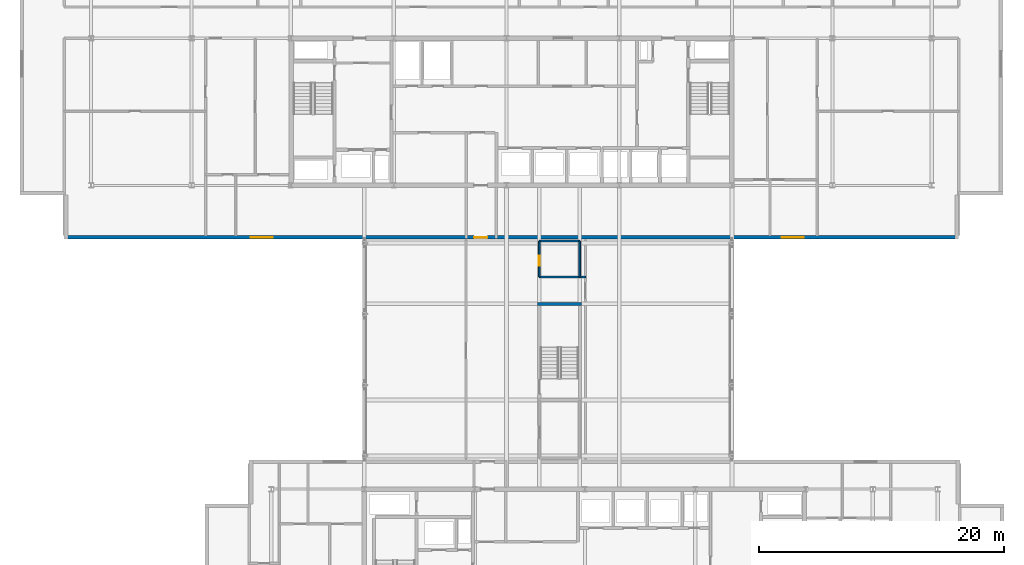
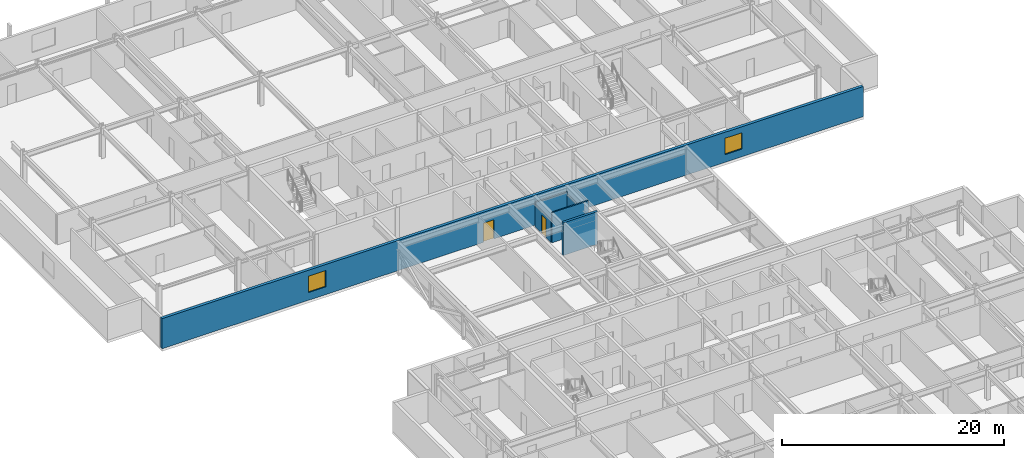
# One storey, part 22 of 36: 6 walls, 2 doors, 2 windows, 4 openings.
"""IFC4 building model written with IfcOpenShell, lengths in metres."""

from ifc_helpers import new_model, si_unit, direction, frame, frame_2d, origin, place, context, subcontext, project, spatial, rectangle, extrude, material, layer, layer_set, type_object, element, fill, save


model = new_model("IFC4")

# Units and contexts
model_context = context("Model", 3, precision=1e-05, world=origin(), true_north=direction((0.0, 1.0)))
body_context = subcontext(model_context, "Body", "Model", "MODEL_VIEW")
ifc_project = project(units=[si_unit("LENGTHUNIT", "METRE"), si_unit("AREAUNIT", "SQUARE_METRE"), si_unit("VOLUMEUNIT", "CUBIC_METRE"), si_unit("PLANEANGLEUNIT", "RADIAN"), si_unit("MASSUNIT", "GRAM", prefix="KILO")], contexts=[model_context])

# Site, building, storey
site_placement = place(None, origin())
site = spatial("IfcSite", under=ifc_project, at=site_placement, CompositionType="ELEMENT")
building_placement = place(site_placement, origin())
building = spatial("IfcBuilding", under=site, at=building_placement, Name="Korimba Cascade Residences", CompositionType="ELEMENT")
storey_placement = place(building_placement, frame((0.0, 0.0, 146.5)))
storey = spatial("IfcBuildingStorey", under=building, at=storey_placement, Name="L42", CompositionType="ELEMENT", Elevation=146.5)

# Wall, openings, door, windows
ifc_material_1 = material(Name="Precast concrete C40/50", Category="concrete")
ifc_layer_1 = layer(ifc_material_1, 0.300048828125)
ifc_layer_set_1 = layer_set([ifc_layer_1], Name="Precast concrete C40/50")
wall_type_1 = type_object("IfcWallType", Name="EW-STONE-300", PredefinedType="STANDARD", material=ifc_layer_set_1)
wall_1_placement = place(storey_placement, frame((57.60009765625, 50.949951171875, 0.0), z_axis=(0.0, 0.0, 1.0), x_axis=(1.0, 0.0, 0.0)))
wall_1 = element("IfcWall", 1, at=wall_1_placement, inside=storey, type_object=wall_type_1, Name="L42 T1 Perimeter Stone Wall E00", PredefinedType="STANDARD", context=body_context, shape_type="SweptSolid", body=[
    extrude(rectangle(XDim=73.0, YDim=0.300048828125, at=frame_2d((36.5, 0.0))), origin(), (0.0, 0.0, 1.0), 3.31005859375),
])
opening_1_placement = place(wall_1_placement, frame((15.22509765625, 0.0, 0.85009765625)))
opening_1 = element("IfcOpeningElement", 2, at=opening_1_placement, cuts=wall_1, Name="Opening W-02", PredefinedType="OPENING", context=body_context, shape_type="SweptSolid", body=[
    extrude(rectangle(XDim=1.800048828125, YDim=1.800048828125, at=frame_2d((0.89990234375, 0.89990234375))), frame((0.0, 0.16015625, 0.0), z_axis=(0.0, -1.0, 0.0), x_axis=(1.0, 0.0, 0.0)), (0.0, 0.0, 1.0), 0.320068359375),
])
opening_2_placement = place(wall_1_placement, frame((58.574951171875, 0.0, 0.85009765625)))
opening_2 = element("IfcOpeningElement", 3, at=opening_2_placement, cuts=wall_1, Name="Opening W-02", PredefinedType="OPENING", context=body_context, shape_type="SweptSolid", body=[
    extrude(rectangle(XDim=1.800048828125, YDim=1.800048828125, at=frame_2d((0.89990234375, 0.89990234375))), frame((0.0, 0.16015625, 0.0), z_axis=(0.0, -1.0, 0.0), x_axis=(1.0, 0.0, 0.0)), (0.0, 0.0, 1.0), 0.320068359375),
])
opening_3_placement = place(wall_1_placement, frame((33.449951171875, 0.0, 0.0)))
opening_3 = element("IfcOpeningElement", 4, at=opening_3_placement, cuts=wall_1, Name="Opening D-BF1", PredefinedType="OPENING", context=body_context, shape_type="SweptSolid", body=[
    extrude(rectangle(XDim=1.10009765625, YDim=2.10009765625, at=frame_2d((0.550048828125, 1.050048828125))), frame((0.0, 0.16015625, 0.0), z_axis=(0.0, -1.0, 0.0), x_axis=(1.0, 0.0, 0.0)), (0.0, 0.0, 1.0), 0.320068359375),
])
ifc_material_2 = material(Name="Fire-Rated Steel Skybridge Link Door", Category="steel")
door_type_1 = type_object("IfcDoorType", Name="DR-BRG-FD120", OperationType="NOTDEFINED", PredefinedType="DOOR", material=ifc_material_2)
door_1_placement = place(opening_3_placement, origin())
door_1 = element("IfcDoor", 5, at=door_1_placement, inside=storey, type_object=door_type_1, Name="L42 Skybridge to Tower 1 Fire Door", OperationType="SINGLE_SWING_LEFT", OverallHeight=2.10009765625, OverallWidth=1.10009765625, PredefinedType="DOOR", context=body_context, shape_type="SweptSolid", body=[
    extrude(rectangle(XDim=1.10009765625, YDim=2.10009765625, at=frame_2d((0.550048828125, 1.050048828125))), frame((0.0, 0.02490234375, 0.0), z_axis=(0.0, -1.0, 0.0), x_axis=(1.0, 0.0, 0.0)), (0.0, 0.0, 1.0), 0.050048828125),
])
fill(opening_3, door_1)
ifc_material_3 = material(Name="Double-Glazed Aluminium Window", Category="aluminium")
window_type = type_object("IfcWindowType", Name="WIN-BED-1800", PartitioningType="SINGLE_PANEL", PredefinedType="WINDOW", material=ifc_material_3)
window_1_placement = place(opening_1_placement, origin())
window_1 = element("IfcWindow", 6, at=window_1_placement, inside=storey, type_object=window_type, Name="L42 T1 South Corner Bedroom Window 1", OverallHeight=1.800048828125, OverallWidth=1.800048828125, PartitioningType="SINGLE_PANEL", PredefinedType="WINDOW", context=body_context, shape_type="SweptSolid", body=[
    extrude(rectangle(XDim=1.800048828125, YDim=1.800048828125, at=frame_2d((0.89990234375, 0.89990234375))), frame((0.0, 0.030029296875, 0.0), z_axis=(0.0, -1.0, 0.0), x_axis=(1.0, 0.0, 0.0)), (0.0, 0.0, 1.0), 0.06005859375),
])
fill(opening_1, window_1)
window_2_placement = place(opening_2_placement, origin())
window_2 = element("IfcWindow", 7, at=window_2_placement, inside=storey, type_object=window_type, Name="L42 T1 South Corner Bedroom Window 2", OverallHeight=1.800048828125, OverallWidth=1.800048828125, PartitioningType="SINGLE_PANEL", PredefinedType="WINDOW", context=body_context, shape_type="SweptSolid", body=[
    extrude(rectangle(XDim=1.800048828125, YDim=1.800048828125, at=frame_2d((0.89990234375, 0.89990234375))), frame((0.0, 0.030029296875, 0.0), z_axis=(0.0, -1.0, 0.0), x_axis=(1.0, 0.0, 0.0)), (0.0, 0.0, 1.0), 0.06005859375),
])
fill(opening_2, window_2)

# Wall
ifc_material_4 = material(Name="Insulated Acoustic Stud Partition", Category="gypsum")
ifc_layer_2 = layer(ifc_material_4, 0.14990234375)
ifc_layer_set_2 = layer_set([ifc_layer_2], Name="Insulated Acoustic Stud Partition")
wall_type_2 = type_object("IfcWallType", Name="WAL-PART-150", PredefinedType="PARTITIONING", material=ifc_layer_set_2)
wall_2_placement = place(storey_placement, frame((96.375, 50.64990234375, 0.0), z_axis=(0.0, 0.0, 1.0), x_axis=(1.0, 0.0, 0.0)))
element("IfcWall", 8, at=wall_2_placement, inside=storey, type_object=wall_type_2, Name="L42 Partition Wall WAL-L42-BRG-WCN2", PredefinedType="PARTITIONING", context=body_context, shape_type="SweptSolid", body=[
    extrude(rectangle(XDim=3.31005859375, YDim=0.14990234375, at=frame_2d((1.655029296875, 0.0))), origin(), (0.0, 0.0, 1.0), 2.689697265625),
])

# Wall, opening, door
wall_3_placement = place(storey_placement, frame((96.375, 47.719970703125, 0.0), z_axis=(0.0, 0.0, 1.0), x_axis=(0.0, 1.0, 0.0)))
wall_3 = element("IfcWall", 9, at=wall_3_placement, inside=storey, type_object=wall_type_2, Name="L42 Partition Wall WAL-L42-BRG-WCW2", PredefinedType="PARTITIONING", context=body_context, shape_type="SweptSolid", body=[
    extrude(rectangle(XDim=2.929931640625, YDim=0.14990234375, at=frame_2d((1.46484375, 0.0))), origin(), (0.0, 0.0, 1.0), 2.38330078125),
])
opening_4_placement = place(wall_3_placement, frame((0.89990234375, 0.0, 0.0)))
opening_4 = element("IfcOpeningElement", 10, at=opening_4_placement, cuts=wall_3, Name="Opening D-BT1", PredefinedType="OPENING", context=body_context, shape_type="SweptSolid", body=[
    extrude(rectangle(XDim=0.840087890625, YDim=2.0400390625, at=frame_2d((0.419921875, 1.02001953125))), frame((0.0, 0.0849609375, 0.0), z_axis=(0.0, -1.0, 0.0), x_axis=(1.0, 0.0, 0.0)), (0.0, 0.0, 1.0), 0.169921875),
])
ifc_material_5 = material(Name="Moisture-Resistant Bathroom Timber Door", Category="wood")
door_type_2 = type_object("IfcDoorType", Name="DR-INT-850", OperationType="NOTDEFINED", PredefinedType="DOOR", material=ifc_material_5)
door_2_placement = place(opening_4_placement, origin())
door_2 = element("IfcDoor", 11, at=door_2_placement, inside=storey, type_object=door_type_2, Name="L42 Skybridge WC Door", OperationType="SINGLE_SWING_LEFT", OverallHeight=2.0400390625, OverallWidth=0.840087890625, PredefinedType="DOOR", context=body_context, shape_type="SweptSolid", body=[
    extrude(rectangle(XDim=0.840087890625, YDim=2.0400390625, at=frame_2d((0.419921875, 1.02001953125))), frame((0.0, 0.02490234375, 0.0), z_axis=(0.0, -1.0, 0.0), x_axis=(1.0, 0.0, 0.0)), (0.0, 0.0, 1.0), 0.050048828125),
])
fill(opening_4, door_2)

# Walls
wall_4_placement = place(storey_placement, frame((96.375, 47.719970703125, 0.0), z_axis=(0.0, 0.0, 1.0), x_axis=(1.0, 0.0, 0.0)))
element("IfcWall", 12, at=wall_4_placement, inside=storey, type_object=wall_type_2, Name="L42 Partition Wall WAL-L42-BRG-WCSH", PredefinedType="PARTITIONING", context=body_context, shape_type="SweptSolid", body=[
    extrude(rectangle(XDim=3.77490234375, YDim=0.14990234375, at=frame_2d((1.887451171875, 0.0))), origin(), (0.0, 0.0, 1.0), 3.31005859375),
])
wall_5_placement = place(storey_placement, frame((99.68505859375, 47.719970703125, 0.0), z_axis=(0.0, 0.0, 1.0), x_axis=(0.0, 1.0, 0.0)))
element("IfcWall", 13, at=wall_5_placement, inside=storey, type_object=wall_type_2, Name="L42 Partition Wall WAL-L42-BRG-EE3", PredefinedType="PARTITIONING", context=body_context, shape_type="SweptSolid", body=[
    extrude(rectangle(XDim=2.929931640625, YDim=0.14990234375, at=frame_2d((1.46484375, 0.0))), origin(), (0.0, 0.0, 1.0), 2.38330078125),
])
ifc_material_6 = material(Name="Concrete C50/60", Category="concrete")
ifc_layer_3 = layer(ifc_material_6, 0.25)
ifc_layer_set_3 = layer_set([ifc_layer_3], Name="Concrete C50/60")
wall_type_3 = type_object("IfcWallType", Name="WAL-SHAFT-250", PredefinedType="SHEAR", material=ifc_layer_set_3)
wall_6_placement = place(storey_placement, frame((96.25, 45.52490234375, 0.0), z_axis=(0.0, 0.0, 1.0), x_axis=(1.0, 0.0, 0.0)))
element("IfcWall", 14, at=wall_6_placement, inside=storey, type_object=wall_type_3, Name="L42 Core Shear Wall CW-L42-STBR1N", PredefinedType="SHEAR", context=body_context, shape_type="SweptSolid", body=[
    extrude(rectangle(XDim=3.56005859375, YDim=0.25, at=frame_2d((1.780029296875, 0.0))), origin(), (0.0, 0.0, 1.0), 3.60009765625),
])

save(model, "model.ifc")
